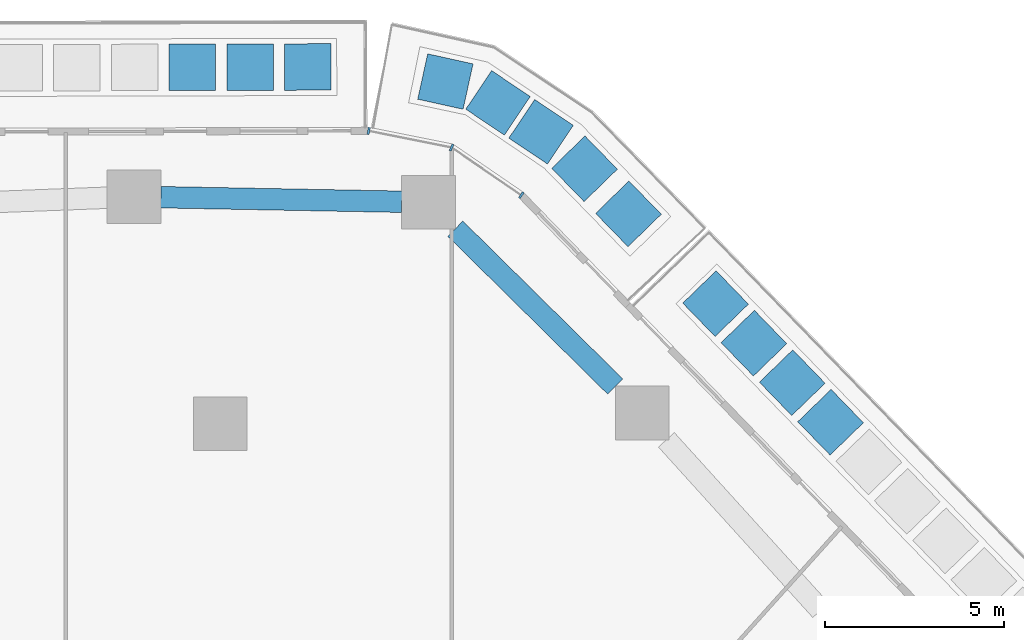
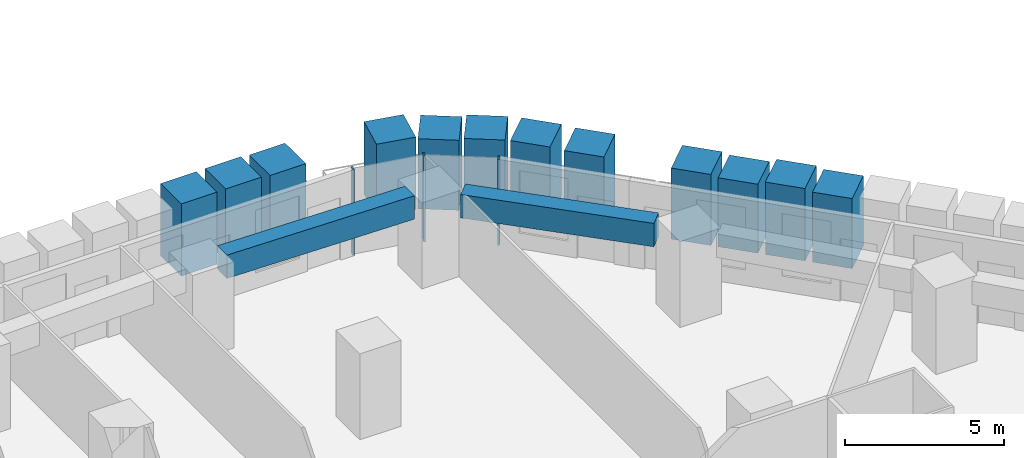
# One storey, part 10 of 27: 15 members, 2 beams, 1 element without a shape of its own.
"""IFC4 building model written with IfcOpenShell, lengths in metres."""

from ifc_helpers import new_model, si_unit, direction, frame, origin, origin_2d, place, context, subcontext, project, spatial, rectangle, extrude, material, layer, layer_set, material_profile, profile_set, type_object, element, aggregate, save


model = new_model("IFC4")

# Units and contexts
model_context = context("Model", 3, precision=1e-05, world=origin(), true_north=direction((0.0, 1.0)))
body_context = subcontext(model_context, "Body", "Model", "MODEL_VIEW")
ifc_project = project(units=[si_unit("LENGTHUNIT", "METRE"), si_unit("AREAUNIT", "SQUARE_METRE"), si_unit("VOLUMEUNIT", "CUBIC_METRE"), si_unit("PLANEANGLEUNIT", "RADIAN"), si_unit("MASSUNIT", "GRAM", prefix="KILO")], contexts=[model_context])

# Site, building, storey
site_placement = place(None, origin())
site = spatial("IfcSite", under=ifc_project, at=site_placement, CompositionType="ELEMENT")
building_placement = place(site_placement, origin())
building = spatial("IfcBuilding", under=site, at=building_placement, Name="Dongbaek Canopy Tower", CompositionType="ELEMENT")
storey_placement = place(building_placement, frame((0.0, 0.0, 62.5)))
storey = spatial("IfcBuildingStorey", under=building, at=storey_placement, Name="L11", CompositionType="ELEMENT", Elevation=62.5)

# Curtain wall, members
ifc_material_1 = material(Name="Aluminium 6063-T6 pale anodised", Category="aluminium")
ifc_layer = layer(ifc_material_1, 0.199951171875)
ifc_layer_set = layer_set([ifc_layer], Name="CW-1 unitised tower curtain wall")
curtain_wall_type = type_object("IfcCurtainWallType", Name="CW-1 unitised tower curtain wall", PredefinedType="NOTDEFINED", material=ifc_layer_set)
curtain_wall_placement = place(storey_placement, origin())
curtain_wall = element("IfcCurtainWall", 1, at=curtain_wall_placement, inside=storey, type_object=curtain_wall_type, Name="CW-1 curtain wall K1.1", PredefinedType="NOTDEFINED")
ifc_material_2 = material(Name="Aluminium 6063-T6 pale anodised", Category="aluminium")
ifc_material_profile_1 = material_profile(ifc_material_2, rectangle(XDim=0.199951171875, YDim=0.06005859375, at=origin_2d()), Name="CW-1 mullion 60 x 200")
ifc_profile_set_1 = profile_set([ifc_material_profile_1], Name="Aluminium 6063-T6 pale anodised")
member_type_1 = type_object("IfcMemberType", Name="CW-1 mullion 60 x 200", PredefinedType="MULLION", material=ifc_profile_set_1)
member_1_placement = place(storey_placement, frame((17.426025390625, 33.39208984375, 0.0), z_axis=(0.0, 0.0, 1.0), x_axis=(0.564668398633, 0.825317877903, 0.0)))
member_1 = element("IfcMember", 2, at=member_1_placement, type_object=member_type_1, Name="CW-1 mullion K1.1.1", PredefinedType="MULLION", context=body_context, shape_type="SweptSolid", body=[
    extrude(rectangle(XDim=0.199951171875, YDim=0.06005859375, at=origin_2d()), origin(), (0.0, 0.0, 1.0), 3.300048828125),
])
member_2_placement = place(storey_placement, frame((15.474853515625, 34.72705078125, 0.0), z_axis=(0.0, 0.0, 1.0), x_axis=(0.388619098911, 0.921398500086, 0.0)))
member_2 = element("IfcMember", 3, at=member_2_placement, type_object=member_type_1, Name="CW-1 mullion K1.1.2", PredefinedType="MULLION", context=body_context, shape_type="SweptSolid", body=[
    extrude(rectangle(XDim=0.199951171875, YDim=0.06005859375, at=origin_2d()), origin(), (0.0, 0.0, 1.0), 3.300048828125),
])
member_3_placement = place(storey_placement, frame((13.156982421875, 35.192626953125, 0.0), z_axis=(0.0, 0.0, 1.0), x_axis=(0.19693765738, 0.980416013285, 0.0)))
member_3 = element("IfcMember", 4, at=member_3_placement, type_object=member_type_1, Name="CW-1 mullion K1.1.3", PredefinedType="MULLION", context=body_context, shape_type="SweptSolid", body=[
    extrude(rectangle(XDim=0.199951171875, YDim=0.06005859375, at=origin_2d()), origin(), (0.0, 0.0, 1.0), 3.300048828125),
])
aggregate(curtain_wall, [member_1, member_2, member_3])

# Beams
ifc_material_3 = material(Name="Concrete C80", Category="concrete")
ifc_material_profile_2 = material_profile(ifc_material_3, rectangle(XDim=0.60009765625, YDim=0.89990234375, at=origin_2d()), Name="RC EDGE BEAM 600x900 C80")
ifc_profile_set_2 = profile_set([ifc_material_profile_2], Name="Concrete C80")
beam_type = type_object("IfcBeamType", Name="RC EDGE BEAM 600x900 C80", PredefinedType="BEAM", material=ifc_profile_set_2)
beam_1_placement = place(storey_placement, frame((7.339111328125, 33.3349609375, 2.85009765625), z_axis=(0.999822704828, -0.018829734762, 0.0), x_axis=(0.018829734762, 0.999822704828, 0.0)))
element("IfcBeam", 5, at=beam_1_placement, inside=storey, type_object=beam_type, Name="EDGEBEAM:L11:16", PredefinedType="BEAM", context=body_context, shape_type="SweptSolid", body=[
    extrude(rectangle(XDim=0.60009765625, YDim=0.89990234375, at=origin_2d()), origin(), (0.0, 0.0, 1.0), 6.7421875),
])
beam_2_placement = place(storey_placement, frame((15.580078125, 32.453857421875, 2.85009765625), z_axis=(0.711712436236, -0.702470930435, 0.0), x_axis=(0.702470930435, 0.711712436236, 0.0)))
element("IfcBeam", 6, at=beam_2_placement, inside=storey, type_object=beam_type, Name="EDGEBEAM:L11:17", PredefinedType="BEAM", context=body_context, shape_type="SweptSolid", body=[
    extrude(rectangle(XDim=0.60009765625, YDim=0.89990234375, at=origin_2d()), origin(), (0.0, 0.0, 1.0), 6.287353515625),
])

# Members
ifc_material_4 = material(Name="Concrete C40/50 planter mass with planting", Category="concrete")
ifc_material_profile_3 = material_profile(ifc_material_4, rectangle(XDim=1.300048828125, YDim=1.300048828125, at=origin_2d()), Name="Terrace PLANTER shrub mass 1300 x 1300")
ifc_profile_set_3 = profile_set([ifc_material_profile_3], Name="Concrete C40/50 planter mass with planting")
member_type_2 = type_object("IfcMemberType", Name="Terrace PLANTER shrub mass 1300 x 1300", PredefinedType="USERDEFINED", material=ifc_profile_set_3)
member_4_placement = place(storey_placement, frame((26.07763671875, 27.0390625, 0.419921875), z_axis=(0.0, 0.0, 1.0), x_axis=(0.718004001298, 0.69603897457, 0.0)))
element("IfcMember", 7, at=member_4_placement, inside=storey, type_object=member_type_2, Name="Planter shrubs L11 1.7", ObjectType="PLANTER", PredefinedType="USERDEFINED", context=body_context, shape_type="SweptSolid", body=[
    extrude(rectangle(XDim=1.300048828125, YDim=1.300048828125, at=origin_2d()), origin(), (0.0, 0.0, 1.0), 2.690185546875),
])
member_5_placement = place(storey_placement, frame((25.00537109375, 28.145263671875, 0.419921875), z_axis=(0.0, 0.0, 1.0), x_axis=(0.718004001298, 0.69603897457, 0.0)))
element("IfcMember", 8, at=member_5_placement, inside=storey, type_object=member_type_2, Name="Planter shrubs L11 1.8", ObjectType="PLANTER", PredefinedType="USERDEFINED", context=body_context, shape_type="SweptSolid", body=[
    extrude(rectangle(XDim=1.300048828125, YDim=1.300048828125, at=origin_2d()), origin(), (0.0, 0.0, 1.0), 2.780029296875),
])
member_6_placement = place(storey_placement, frame((23.93310546875, 29.251220703125, 0.419921875), z_axis=(0.0, 0.0, 1.0), x_axis=(0.718004001298, 0.69603897457, 0.0)))
element("IfcMember", 9, at=member_6_placement, inside=storey, type_object=member_type_2, Name="Planter shrubs L11 1.9", ObjectType="PLANTER", PredefinedType="USERDEFINED", context=body_context, shape_type="SweptSolid", body=[
    extrude(rectangle(XDim=1.300048828125, YDim=1.300048828125, at=origin_2d()), origin(), (0.0, 0.0, 1.0), 2.650146484375),
])
for number, where, z_axis, x_axis, name in (
    (10, (22.86083984375, 30.357421875, 0.419921875), (0.0, 0.0, 1.0), (0.718004001298, 0.69603897457, 0.0), "Planter shrubs L11 1.10"),
    (11, (20.4228515625, 32.869384765625, 0.419921875), (0.0, 0.0, 1.0), (0.716317815171, 0.697774166667, 0.0), "Planter shrubs L11 6.1"),
):
    element("IfcMember", number, at=place(storey_placement, frame(where, z_axis=z_axis, x_axis=x_axis)), inside=storey, type_object=member_type_2, Name=name, ObjectType="PLANTER", PredefinedType="USERDEFINED", context=body_context, shape_type="SweptSolid", body=[
        extrude(rectangle(XDim=1.300048828125, YDim=1.300048828125, at=origin_2d()), origin(), (0.0, 0.0, 1.0), 2.72998046875),
    ])
member_7_placement = place(storey_placement, frame((19.1943359375, 34.13037109375, 0.419921875), z_axis=(0.0, 0.0, 1.0), x_axis=(0.716317815171, 0.697774166667, 0.0)))
element("IfcMember", 12, at=member_7_placement, inside=storey, type_object=member_type_2, Name="Planter shrubs L11 6.2", ObjectType="PLANTER", PredefinedType="USERDEFINED", context=body_context, shape_type="SweptSolid", body=[
    extrude(rectangle(XDim=1.300048828125, YDim=1.300048828125, at=origin_2d()), origin(), (0.0, 0.0, 1.0), 2.780029296875),
])
member_8_placement = place(storey_placement, frame((17.97802734375, 35.165283203125, 0.419921875), z_axis=(0.0, 0.0, 1.0), x_axis=(0.557401353781, 0.830243175704, 0.0)))
element("IfcMember", 13, at=member_8_placement, inside=storey, type_object=member_type_2, Name="Planter shrubs L11 6.3", ObjectType="PLANTER", PredefinedType="USERDEFINED", context=body_context, shape_type="SweptSolid", body=[
    extrude(rectangle(XDim=1.300048828125, YDim=1.300048828125, at=origin_2d()), origin(), (0.0, 0.0, 1.0), 2.77001953125),
])
member_9_placement = place(storey_placement, frame((16.7734375, 35.973876953125, 0.419921875), z_axis=(0.0, 0.0, 1.0), x_axis=(0.557401353781, 0.830243175704, 0.0)))
element("IfcMember", 14, at=member_9_placement, inside=storey, type_object=member_type_2, Name="Planter shrubs L11 6.4", ObjectType="PLANTER", PredefinedType="USERDEFINED", context=body_context, shape_type="SweptSolid", body=[
    extrude(rectangle(XDim=1.300048828125, YDim=1.300048828125, at=origin_2d()), origin(), (0.0, 0.0, 1.0), 2.690185546875),
])
member_10_placement = place(storey_placement, frame((15.30126953125, 36.5703125, 0.419921875), z_axis=(0.0, 0.0, 1.0), x_axis=(0.215600594764, 0.976481635023, 0.0)))
element("IfcMember", 15, at=member_10_placement, inside=storey, type_object=member_type_2, Name="Planter shrubs L11 6.5", ObjectType="PLANTER", PredefinedType="USERDEFINED", context=body_context, shape_type="SweptSolid", body=[
    extrude(rectangle(XDim=1.300048828125, YDim=1.300048828125, at=origin_2d()), origin(), (0.0, 0.0, 1.0), 2.780029296875),
])
member_11_placement = place(storey_placement, frame((11.45458984375, 36.97802734375, 0.419921875), z_axis=(0.0, 0.0, 1.0), x_axis=(-0.002665570299, 0.999996447361, 0.0)))
element("IfcMember", 16, at=member_11_placement, inside=storey, type_object=member_type_2, Name="Planter shrubs L11 2.1", ObjectType="PLANTER", PredefinedType="USERDEFINED", context=body_context, shape_type="SweptSolid", body=[
    extrude(rectangle(XDim=1.300048828125, YDim=1.300048828125, at=origin_2d()), origin(), (0.0, 0.0, 1.0), 2.72998046875),
])
member_12_placement = place(storey_placement, frame((9.8388671875, 36.9736328125, 0.419921875), z_axis=(0.0, 0.0, 1.0), x_axis=(-0.002665570299, 0.999996447361, 0.0)))
element("IfcMember", 17, at=member_12_placement, inside=storey, type_object=member_type_2, Name="Planter shrubs L11 2.2", ObjectType="PLANTER", PredefinedType="USERDEFINED", context=body_context, shape_type="SweptSolid", body=[
    extrude(rectangle(XDim=1.300048828125, YDim=1.300048828125, at=origin_2d()), origin(), (0.0, 0.0, 1.0), 2.780029296875),
])
member_13_placement = place(storey_placement, frame((8.22314453125, 36.969482421875, 0.419921875), z_axis=(0.0, 0.0, 1.0), x_axis=(-0.002665570299, 0.999996447361, 0.0)))
element("IfcMember", 18, at=member_13_placement, inside=storey, type_object=member_type_2, Name="Planter shrubs L11 2.3", ObjectType="PLANTER", PredefinedType="USERDEFINED", context=body_context, shape_type="SweptSolid", body=[
    extrude(rectangle(XDim=1.300048828125, YDim=1.300048828125, at=origin_2d()), origin(), (0.0, 0.0, 1.0), 2.77001953125),
])

save(model, "model.ifc")
